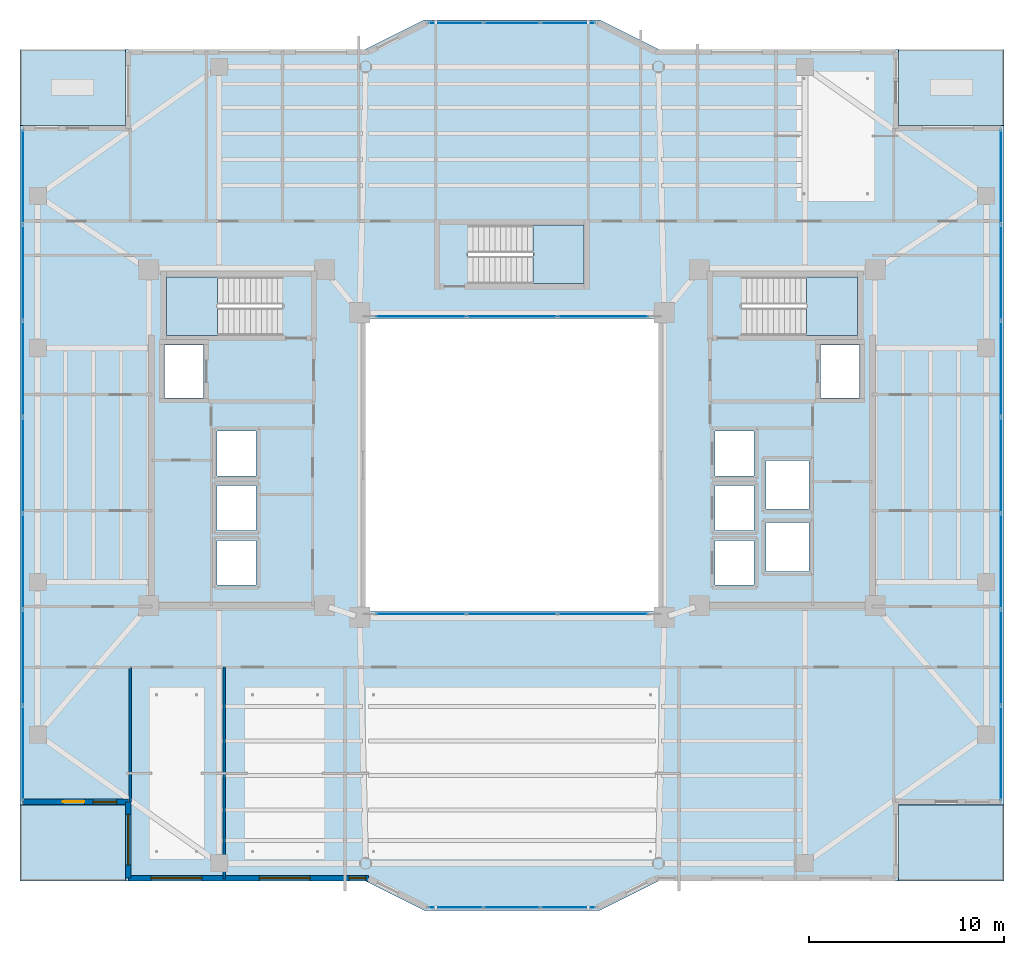
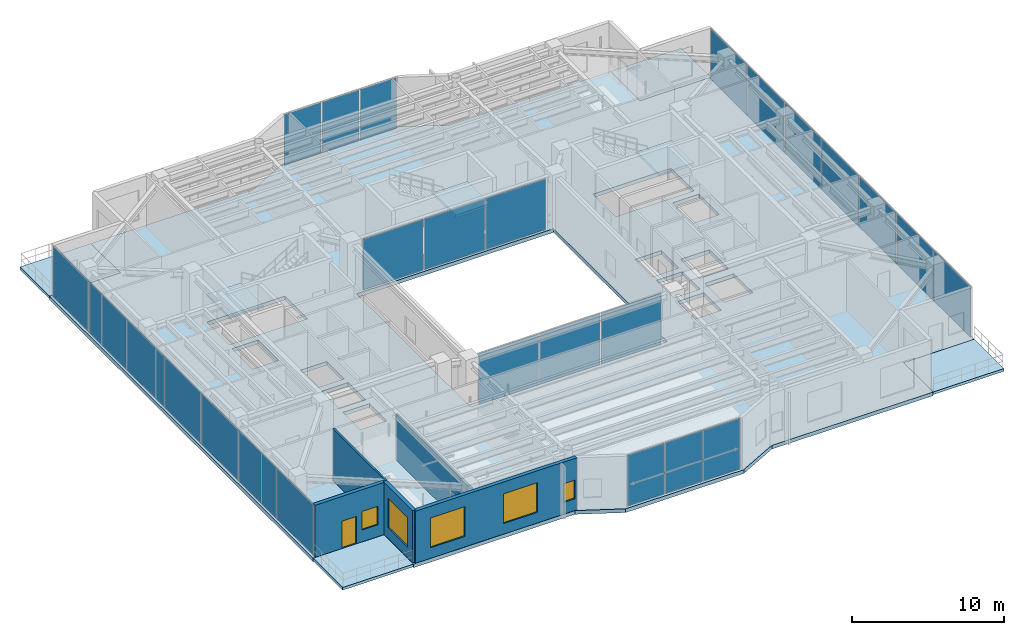
# One storey, part 22 of 33: 26 plates, 8 slabs, 5 walls, 5 windows, 1 door, 6 openings, 9 elements without a shape of their own.
"""IFC4 building model written with IfcOpenShell, lengths in metres."""

import ifcopenshell
import ifcopenshell.guid

model = None  # the IFC model being written
_history = None  # IfcOwnerHistory: only IFC2X3 demands one
_inside = {}  # id of a spatial element -> (the spatial element, [elements in it])
_under = {}  # id of a project, library or spatial element -> (it, [spatial elements below it])
_declared = {}  # id of a project -> (the project, [libraries it declares])
_typed = {}  # id of a type object -> (the type object, [elements of that type])
_made_of = {}  # id of a material, layer set ... -> (it, [elements and type objects made of it])


def new_model(schema):
    """Start an empty IFC model of exactly this schema.

    Asked for "IFC4X3", IfcOpenShell would pick the latest addendum, in which some entities
    have other attributes; the version numbers below select the first issue.
    IFC2X3 requires an IfcOwnerHistory on every rooted entity: one is made here for all.
    """
    global model, _history
    if schema == "IFC4X3":
        model = ifcopenshell.file(schema_version=(4, 3, 0, 0))
    else:
        model = ifcopenshell.file(schema=schema)
    _inside.clear()
    _under.clear()
    _declared.clear()
    _typed.clear()
    _made_of.clear()
    _history = None
    if model.schema == "IFC2X3":
        org = make("IfcOrganization", Name="unknown")
        user = make(
            "IfcPersonAndOrganization",
            ThePerson=make("IfcPerson", FamilyName="unknown"),
            TheOrganization=org,
        )
        app = make(
            "IfcApplication",
            ApplicationDeveloper=org,
            Version="unknown",
            ApplicationFullName="unknown",
            ApplicationIdentifier="unknown",
        )
        _history = make(
            "IfcOwnerHistory",
            OwningUser=user,
            OwningApplication=app,
            ChangeAction="ADDED",
            CreationDate=0,
        )
    return model


def make(cls, **values):
    """One entity of the class cls with the attributes given. An attribute that is None is left unset."""
    return model.create_entity(
        cls, **{name: value for name, value in values.items() if value is not None}
    )


def rooted(cls, **values):
    """An entity with a GlobalId (a new one), such as an element, a storey or a relation."""
    return make(cls, GlobalId=ifcopenshell.guid.new(), OwnerHistory=_history, **values)


def si_unit(unit_type, name, prefix=None):
    """IfcSIUnit, for example si_unit("LENGTHUNIT", "METRE", prefix="MILLI")."""
    return make("IfcSIUnit", UnitType=unit_type, Prefix=prefix, Name=name)


def assignment(units):
    """IfcUnitAssignment: the units of a project."""
    return None if units is None else make("IfcUnitAssignment", Units=units)


def point(xyz):
    """IfcCartesianPoint."""
    return None if xyz is None else make("IfcCartesianPoint", Coordinates=xyz)


def direction(xyz):
    """IfcDirection."""
    return None if xyz is None else make("IfcDirection", DirectionRatios=xyz)


def frame(location, z_axis=None, x_axis=None):
    """IfcAxis2Placement3D, a coordinate frame: its origin and axes. An axis left out is left unset."""
    return make(
        "IfcAxis2Placement3D",
        Location=point(location),
        Axis=direction(z_axis),
        RefDirection=direction(x_axis),
    )


def frame_2d(location, x_axis=None):
    """IfcAxis2Placement2D, a coordinate frame in the plane: its origin and x axis."""
    return make(
        "IfcAxis2Placement2D", Location=point(location), RefDirection=direction(x_axis)
    )


def origin():
    """The frame at (0, 0, 0) with its axes left unset."""
    return frame((0.0, 0.0, 0.0))


def origin_2d():
    """The frame at (0, 0) in the plane with its x axis left unset."""
    return frame_2d((0.0, 0.0))


def place(relative_to, where):
    """IfcLocalPlacement: puts the frame where relative to a parent placement (None: the world)."""
    return make(
        "IfcLocalPlacement", PlacementRelTo=relative_to, RelativePlacement=where
    )


def context(
    kind, dimensions, precision=None, world=None, true_north=None, identifier=None
):
    """IfcGeometricRepresentationContext, for example the 3D "Model" context."""
    return make(
        "IfcGeometricRepresentationContext",
        ContextIdentifier=identifier,
        ContextType=kind,
        CoordinateSpaceDimension=dimensions,
        Precision=precision,
        WorldCoordinateSystem=world,
        TrueNorth=true_north,
    )


def subcontext(parent, identifier, kind, view, scale=None):
    """IfcGeometricRepresentationSubContext, for example "Body" below "Model"."""
    return make(
        "IfcGeometricRepresentationSubContext",
        ContextIdentifier=identifier,
        ContextType=kind,
        ParentContext=parent,
        TargetScale=scale,
        TargetView=view,
    )


def project(units=None, contexts=None):
    """IfcProject with its units and contexts."""
    return rooted(
        "IfcProject",
        Name="project",
        RepresentationContexts=contexts,
        UnitsInContext=assignment(units),
    )


def spatial(cls, under=None, at=None, **own):
    """A site, building, storey or space (cls), placed at a placement, below another one or the project."""
    s = rooted(cls, ObjectPlacement=at, **own)
    if under is not None:
        _under.setdefault(under.id(), (under, []))[1].append(s)
    return s


def polyline(points):
    """IfcPolyline through the points."""
    return make("IfcPolyline", Points=[point(p) for p in points])


def profile(cls, at=None, kind="AREA", **sizes):
    """A parametric profile (cls). Its sizes go by their IFC names, for example OverallWidth=200.0."""
    return make(cls, ProfileType=kind, Position=at, **sizes)


def rectangle(**sizes):
    """IfcRectangleProfileDef."""
    return profile("IfcRectangleProfileDef", **sizes)


def outline(outer, holes=None, kind="AREA"):
    """IfcArbitraryClosedProfileDef: a profile drawn as a closed curve; with holes, ...WithVoids."""
    if holes is None:
        return make("IfcArbitraryClosedProfileDef", ProfileType=kind, OuterCurve=outer)
    return make(
        "IfcArbitraryProfileDefWithVoids",
        ProfileType=kind,
        OuterCurve=outer,
        InnerCurves=holes,
    )


def extrude(swept, where, along, depth):
    """IfcExtrudedAreaSolid: the profile swept, set in the frame where, extruded along a direction by depth."""
    return make(
        "IfcExtrudedAreaSolid",
        SweptArea=swept,
        Position=where,
        ExtrudedDirection=direction(along),
        Depth=depth,
    )


def shape(context_of_items, identifier, shape_type, items):
    """IfcShapeRepresentation: the items that make up one representation, for example the "Body"."""
    return make(
        "IfcShapeRepresentation",
        ContextOfItems=context_of_items,
        RepresentationIdentifier=identifier,
        RepresentationType=shape_type,
        Items=items,
    )


def material(Name=None, Category=None):
    """IfcMaterial."""
    return make("IfcMaterial", Name=Name, Category=Category)


def layer(
    of_material, thickness, ventilated=None, Name=None, Category=None, Priority=None
):
    """IfcMaterialLayer: one layer of a wall or slab, of a material (None: an air gap)."""
    return make(
        "IfcMaterialLayer",
        Material=of_material,
        LayerThickness=thickness,
        IsVentilated=ventilated,
        Name=Name,
        Category=Category,
        Priority=Priority,
    )


def layer_set(layers, Name=None):
    """IfcMaterialLayerSet."""
    return make("IfcMaterialLayerSet", MaterialLayers=layers, LayerSetName=Name)


def made_of(thing, what):
    """Note that an element or type object is made of a material, layer set ...; save() writes the relation."""
    if what is not None:
        _made_of.setdefault(what.id(), (what, []))[1].append(thing)
    return thing


def type_object(cls, material=None, **own):
    """A type object (cls), such as IfcWallType, which elements share."""
    return made_of(rooted(cls, **own), material)


def element(
    cls,
    number,
    at=None,
    inside=None,
    cuts=None,
    type_object=None,
    material=None,
    context=None,
    identifier="Body",
    shape_type=None,
    held_by="IfcProductDefinitionShape",
    body=None,
    shapes=None,
    **own,
):
    """One element of the class cls, such as IfcWall. Its Tag is "e" and its number.

    at: its placement. inside: the storey or other place that contains it. cuts: it is an
    opening in that element (IfcRelVoidsElement). A single representation is given by context,
    identifier, shape_type and body (its items); several are given by shapes. held_by: the class
    of the entity that holds the representations. save() writes the other relations.
    """
    e = rooted(cls, Tag="e%d" % number, ObjectPlacement=at, **own)
    if body is not None:
        shapes = [shape(context, identifier, shape_type, body)]
    if shapes is not None:
        e.Representation = make(held_by, Representations=shapes)
    if inside is not None:
        _inside.setdefault(inside.id(), (inside, []))[1].append(e)
    if cuts is not None:
        rooted(
            "IfcRelVoidsElement", RelatingBuildingElement=cuts, RelatedOpeningElement=e
        )
    if type_object is not None:
        _typed.setdefault(type_object.id(), (type_object, []))[1].append(e)
    return made_of(e, material)


def fill(opening, filler):
    """IfcRelFillsElement: the door or window that sits in an opening."""
    return rooted(
        "IfcRelFillsElement",
        RelatingOpeningElement=opening,
        RelatedBuildingElement=filler,
    )


def aggregate(whole, parts):
    """IfcRelAggregates: a whole, such as a stair, and the parts it consists of."""
    return rooted("IfcRelAggregates", RelatingObject=whole, RelatedObjects=parts)


def save(model, path):
    """Write the relations noted so far, then the file.

    IfcRelAggregates (storeys below a building ...), IfcRelContainedInSpatialStructure (elements
    in a storey), IfcRelDefinesByType, IfcRelAssociatesMaterial and IfcRelDeclares: one each for
    every whole, place, type object, material and project.
    """
    for whole, parts in _under.values():
        aggregate(whole, parts)
    for where, things in _inside.values():
        rooted(
            "IfcRelContainedInSpatialStructure",
            RelatedElements=things,
            RelatingStructure=where,
        )
    for kind, things in _typed.values():
        rooted("IfcRelDefinesByType", RelatedObjects=things, RelatingType=kind)
    for what, things in _made_of.values():
        rooted("IfcRelAssociatesMaterial", RelatedObjects=things, RelatingMaterial=what)
    for by, libraries in _declared.values():
        rooted("IfcRelDeclares", RelatingContext=by, RelatedDefinitions=libraries)
    model.write(path)


model = new_model("IFC4")

# Units and contexts
model_context = context("Model", 3, precision=1e-05, world=origin(), true_north=direction((0.0, 1.0)))
body_context = subcontext(model_context, "Body", "Model", "MODEL_VIEW")
ifc_project = project(units=[si_unit("LENGTHUNIT", "METRE"), si_unit("AREAUNIT", "SQUARE_METRE"), si_unit("VOLUMEUNIT", "CUBIC_METRE"), si_unit("PLANEANGLEUNIT", "RADIAN"), si_unit("MASSUNIT", "GRAM", prefix="KILO")], contexts=[model_context])

# Site, building, storey
site_placement = place(None, origin())
site = spatial("IfcSite", under=ifc_project, at=site_placement, CompositionType="ELEMENT")
building_placement = place(site_placement, origin())
building = spatial("IfcBuilding", under=site, at=building_placement, Name="Tarnavaz Court Tower", CompositionType="ELEMENT")
storey_placement = place(building_placement, frame((0.0, 0.0, 172.800048828125)))
storey = spatial("IfcBuildingStorey", under=building, at=storey_placement, Name="L47", CompositionType="ELEMENT", Elevation=172.800048828125)

# Curtain wall, plates
ifc_material_1 = material(Name="Anodised Aluminium 6063-T6 and Solar Low-E Glazing", Category="aluminium")
ifc_layer_1 = layer(ifc_material_1, 0.139892578125)
ifc_layer_set_1 = layer_set([ifc_layer_1], Name="Anodised Aluminium 6063-T6 and Solar Low-E Glazing")
curtain_wall_type_1 = type_object("IfcCurtainWallType", Name="CW-SYS-04", PredefinedType="NOTDEFINED", material=ifc_layer_set_1)
curtain_wall_1_placement = place(storey_placement, origin())
curtain_wall_1 = element("IfcCurtainWall", 1, at=curtain_wall_1_placement, inside=storey, type_object=curtain_wall_type_1, Name="L47 Badgir Courtyard Curtain Wall S", PredefinedType="NOTDEFINED")
ifc_material_2 = material(Name="Double-Glazed Solar Low-E Glass", Category="glass")
ifc_layer_2 = layer(ifc_material_2, 0.028076171875)
ifc_layer_set_2 = layer_set([ifc_layer_2], Name="Double-Glazed Solar Low-E Glass")
plate_type = type_object("IfcPlateType", Name="CW-PAN-GLZ28", PredefinedType="CURTAIN_PANEL", material=ifc_layer_set_2)
plate_1_placement = place(storey_placement, frame((-4.6611328125, -7.6201171875, 0.06494140625), z_axis=(0.0, 0.0, 1.0), x_axis=(1.0, 0.0, 0.0)))
plate_1 = element("IfcPlate", 2, at=plate_1_placement, type_object=plate_type, Name="CW panel 1.1", PredefinedType="CURTAIN_PANEL", context=body_context, shape_type="SweptSolid", body=[
    extrude(rectangle(XDim=4.5673828125, YDim=0.028076171875, at=origin_2d()), origin(), (0.0, 0.0, 1.0), 4.070068359375),
])
plate_2_placement = place(storey_placement, frame((0.0, -7.6201171875, 0.06494140625), z_axis=(0.0, 0.0, 1.0), x_axis=(1.0, 0.0, 0.0)))
plate_2 = element("IfcPlate", 3, at=plate_2_placement, type_object=plate_type, Name="CW panel 2.1", PredefinedType="CURTAIN_PANEL", context=body_context, shape_type="SweptSolid", body=[
    extrude(rectangle(XDim=4.60498046875, YDim=0.028076171875, at=origin_2d()), origin(), (0.0, 0.0, 1.0), 4.070068359375),
])
plate_3_placement = place(storey_placement, frame((4.6611328125, -7.6201171875, 0.06494140625), z_axis=(0.0, 0.0, 1.0), x_axis=(1.0, 0.0, 0.0)))
plate_3 = element("IfcPlate", 4, at=plate_3_placement, type_object=plate_type, Name="CW panel 3.1", PredefinedType="CURTAIN_PANEL", context=body_context, shape_type="SweptSolid", body=[
    extrude(rectangle(XDim=4.5673828125, YDim=0.028076171875, at=origin_2d()), origin(), (0.0, 0.0, 1.0), 4.070068359375),
])
aggregate(curtain_wall_1, [plate_1, plate_2, plate_3])

curtain_wall_2_placement = place(storey_placement, origin())
curtain_wall_2 = element("IfcCurtainWall", 5, at=curtain_wall_2_placement, inside=storey, type_object=curtain_wall_type_1, Name="L47 Badgir Courtyard Curtain Wall N", PredefinedType="NOTDEFINED")
plate_4_placement = place(storey_placement, frame((4.6611328125, 7.6201171875, 0.06494140625), z_axis=(0.0, 0.0, 1.0), x_axis=(-1.0, 0.0, 0.0)))
plate_4 = element("IfcPlate", 6, at=plate_4_placement, type_object=plate_type, Name="CW panel 1.1", PredefinedType="CURTAIN_PANEL", context=body_context, shape_type="SweptSolid", body=[
    extrude(rectangle(XDim=4.5673828125, YDim=0.028076171875, at=origin_2d()), origin(), (0.0, 0.0, 1.0), 4.070068359375),
])
plate_5_placement = place(storey_placement, frame((0.0, 7.6201171875, 0.06494140625), z_axis=(0.0, 0.0, 1.0), x_axis=(-1.0, 0.0, 0.0)))
plate_5 = element("IfcPlate", 7, at=plate_5_placement, type_object=plate_type, Name="CW panel 2.1", PredefinedType="CURTAIN_PANEL", context=body_context, shape_type="SweptSolid", body=[
    extrude(rectangle(XDim=4.60498046875, YDim=0.028076171875, at=origin_2d()), origin(), (0.0, 0.0, 1.0), 4.070068359375),
])
plate_6_placement = place(storey_placement, frame((-4.6611328125, 7.6201171875, 0.06494140625), z_axis=(0.0, 0.0, 1.0), x_axis=(-1.0, 0.0, 0.0)))
plate_6 = element("IfcPlate", 8, at=plate_6_placement, type_object=plate_type, Name="CW panel 3.1", PredefinedType="CURTAIN_PANEL", context=body_context, shape_type="SweptSolid", body=[
    extrude(rectangle(XDim=4.5673828125, YDim=0.028076171875, at=origin_2d()), origin(), (0.0, 0.0, 1.0), 4.070068359375),
])
aggregate(curtain_wall_2, [plate_4, plate_5, plate_6])

ifc_layer_3 = layer(ifc_material_1, 0.199951171875)
ifc_layer_set_3 = layer_set([ifc_layer_3], Name="Anodised Aluminium 6063-T6 and Solar Low-E Glazing")
curtain_wall_type_2 = type_object("IfcCurtainWallType", Name="CW-SYS-05", PredefinedType="NOTDEFINED", material=ifc_layer_set_3)
curtain_wall_3_placement = place(storey_placement, origin())
curtain_wall_3 = element("IfcCurtainWall", 9, at=curtain_wall_3_placement, inside=storey, type_object=curtain_wall_type_2, Name="L47 Sky-Portal Curtain Wall 2", PredefinedType="NOTDEFINED")
plate_7_placement = place(storey_placement, frame((-25.050048828125, -14.764404296875, 0.06494140625), z_axis=(0.0, 0.0, 1.0), x_axis=(0.0, 1.0, 0.0)))
plate_7 = element("IfcPlate", 10, at=plate_7_placement, type_object=plate_type, Name="CW panel 1.1", PredefinedType="CURTAIN_PANEL", context=body_context, shape_type="SweptSolid", body=[
    extrude(rectangle(XDim=4.801025390625, YDim=0.028076171875, at=origin_2d()), origin(), (0.0, 0.0, 1.0), 4.070068359375),
])
plate_8_placement = place(storey_placement, frame((-25.050048828125, -9.857177734375, 0.06494140625), z_axis=(0.0, 0.0, 1.0), x_axis=(0.0, 1.0, 0.0)))
plate_8 = element("IfcPlate", 11, at=plate_8_placement, type_object=plate_type, Name="CW panel 2.1", PredefinedType="CURTAIN_PANEL", context=body_context, shape_type="SweptSolid", body=[
    extrude(rectangle(XDim=4.843505859375, YDim=0.028076171875, at=origin_2d()), origin(), (0.0, 0.0, 1.0), 4.070068359375),
])
plate_9_placement = place(storey_placement, frame((-25.050048828125, -4.928466796875, 0.06494140625), z_axis=(0.0, 0.0, 1.0), x_axis=(0.0, 1.0, 0.0)))
plate_9 = element("IfcPlate", 12, at=plate_9_placement, type_object=plate_type, Name="CW panel 3.1", PredefinedType="CURTAIN_PANEL", context=body_context, shape_type="SweptSolid", body=[
    extrude(rectangle(XDim=4.843505859375, YDim=0.028076171875, at=origin_2d()), origin(), (0.0, 0.0, 1.0), 4.070068359375),
])
plate_10_placement = place(storey_placement, frame((-25.050048828125, 0.0, 0.06494140625), z_axis=(0.0, 0.0, 1.0), x_axis=(0.0, 1.0, 0.0)))
plate_10 = element("IfcPlate", 13, at=plate_10_placement, type_object=plate_type, Name="CW panel 4.1", PredefinedType="CURTAIN_PANEL", context=body_context, shape_type="SweptSolid", body=[
    extrude(rectangle(XDim=4.843505859375, YDim=0.028076171875, at=origin_2d()), origin(), (0.0, 0.0, 1.0), 4.070068359375),
])
plate_11_placement = place(storey_placement, frame((-25.050048828125, 4.928466796875, 0.06494140625), z_axis=(0.0, 0.0, 1.0), x_axis=(0.0, 1.0, 0.0)))
plate_11 = element("IfcPlate", 14, at=plate_11_placement, type_object=plate_type, Name="CW panel 5.1", PredefinedType="CURTAIN_PANEL", context=body_context, shape_type="SweptSolid", body=[
    extrude(rectangle(XDim=4.843505859375, YDim=0.028076171875, at=origin_2d()), origin(), (0.0, 0.0, 1.0), 4.070068359375),
])
plate_12_placement = place(storey_placement, frame((-25.050048828125, 9.857177734375, 0.06494140625), z_axis=(0.0, 0.0, 1.0), x_axis=(0.0, 1.0, 0.0)))
plate_12 = element("IfcPlate", 15, at=plate_12_placement, type_object=plate_type, Name="CW panel 6.1", PredefinedType="CURTAIN_PANEL", context=body_context, shape_type="SweptSolid", body=[
    extrude(rectangle(XDim=4.843505859375, YDim=0.028076171875, at=origin_2d()), origin(), (0.0, 0.0, 1.0), 4.070068359375),
])
plate_13_placement = place(storey_placement, frame((-25.050048828125, 14.764404296875, 0.06494140625), z_axis=(0.0, 0.0, 1.0), x_axis=(0.0, 1.0, 0.0)))
plate_13 = element("IfcPlate", 16, at=plate_13_placement, type_object=plate_type, Name="CW panel 7.1", PredefinedType="CURTAIN_PANEL", context=body_context, shape_type="SweptSolid", body=[
    extrude(rectangle(XDim=4.801025390625, YDim=0.028076171875, at=origin_2d()), origin(), (0.0, 0.0, 1.0), 4.070068359375),
])
aggregate(curtain_wall_3, [plate_7, plate_8, plate_9, plate_10, plate_11, plate_12, plate_13])

ifc_layer_4 = layer(ifc_material_1, 0.159912109375)
ifc_layer_set_4 = layer_set([ifc_layer_4], Name="Anodised Aluminium 6063-T6 and Solar Low-E Glazing")
curtain_wall_type_3 = type_object("IfcCurtainWallType", Name="CW-SYS-03", PredefinedType="NOTDEFINED", material=ifc_layer_set_4)
curtain_wall_4_placement = place(storey_placement, origin())
curtain_wall_4 = element("IfcCurtainWall", 17, at=curtain_wall_4_placement, inside=storey, type_object=curtain_wall_type_3, Name="L47 Iwan Prow Curtain Wall 7", PredefinedType="NOTDEFINED")
plate_14_placement = place(storey_placement, frame((-2.88134765625, 22.64990234375, 0.06494140625), z_axis=(0.0, 0.0, 1.0), x_axis=(1.0, 0.0, 0.0)))
plate_14 = element("IfcPlate", 18, at=plate_14_placement, type_object=plate_type, Name="CW panel 1.1", PredefinedType="CURTAIN_PANEL", context=body_context, shape_type="SweptSolid", body=[
    extrude(rectangle(XDim=2.78759765625, YDim=0.028076171875, at=origin_2d()), origin(), (0.0, 0.0, 1.0), 4.070068359375),
])
plate_15_placement = place(storey_placement, frame((0.0, 22.64990234375, 0.06494140625), z_axis=(0.0, 0.0, 1.0), x_axis=(1.0, 0.0, 0.0)))
plate_15 = element("IfcPlate", 19, at=plate_15_placement, type_object=plate_type, Name="CW panel 2.1", PredefinedType="CURTAIN_PANEL", context=body_context, shape_type="SweptSolid", body=[
    extrude(rectangle(XDim=2.824951171875, YDim=0.028076171875, at=origin_2d()), origin(), (0.0, 0.0, 1.0), 4.070068359375),
])
plate_16_placement = place(storey_placement, frame((2.88134765625, 22.64990234375, 0.06494140625), z_axis=(0.0, 0.0, 1.0), x_axis=(1.0, 0.0, 0.0)))
plate_16 = element("IfcPlate", 20, at=plate_16_placement, type_object=plate_type, Name="CW panel 3.1", PredefinedType="CURTAIN_PANEL", context=body_context, shape_type="SweptSolid", body=[
    extrude(rectangle(XDim=2.78759765625, YDim=0.028076171875, at=origin_2d()), origin(), (0.0, 0.0, 1.0), 4.070068359375),
])
aggregate(curtain_wall_4, [plate_14, plate_15, plate_16])

curtain_wall_5_placement = place(storey_placement, origin())
curtain_wall_5 = element("IfcCurtainWall", 21, at=curtain_wall_5_placement, inside=storey, type_object=curtain_wall_type_2, Name="L47 Sky-Portal Curtain Wall 12", PredefinedType="NOTDEFINED")
plate_17_placement = place(storey_placement, frame((25.050048828125, 14.764404296875, 0.06494140625), z_axis=(0.0, 0.0, 1.0), x_axis=(0.0, -1.0, 0.0)))
plate_17 = element("IfcPlate", 22, at=plate_17_placement, type_object=plate_type, Name="CW panel 1.1", PredefinedType="CURTAIN_PANEL", context=body_context, shape_type="SweptSolid", body=[
    extrude(rectangle(XDim=4.801025390625, YDim=0.028076171875, at=origin_2d()), origin(), (0.0, 0.0, 1.0), 4.070068359375),
])
plate_18_placement = place(storey_placement, frame((25.050048828125, 9.857177734375, 0.06494140625), z_axis=(0.0, 0.0, 1.0), x_axis=(0.0, -1.0, 0.0)))
plate_18 = element("IfcPlate", 23, at=plate_18_placement, type_object=plate_type, Name="CW panel 2.1", PredefinedType="CURTAIN_PANEL", context=body_context, shape_type="SweptSolid", body=[
    extrude(rectangle(XDim=4.843505859375, YDim=0.028076171875, at=origin_2d()), origin(), (0.0, 0.0, 1.0), 4.070068359375),
])
plate_19_placement = place(storey_placement, frame((25.050048828125, 4.928466796875, 0.06494140625), z_axis=(0.0, 0.0, 1.0), x_axis=(0.0, -1.0, 0.0)))
plate_19 = element("IfcPlate", 24, at=plate_19_placement, type_object=plate_type, Name="CW panel 3.1", PredefinedType="CURTAIN_PANEL", context=body_context, shape_type="SweptSolid", body=[
    extrude(rectangle(XDim=4.843505859375, YDim=0.028076171875, at=origin_2d()), origin(), (0.0, 0.0, 1.0), 4.070068359375),
])
plate_20_placement = place(storey_placement, frame((25.050048828125, 0.0, 0.06494140625), z_axis=(0.0, 0.0, 1.0), x_axis=(0.0, -1.0, 0.0)))
plate_20 = element("IfcPlate", 25, at=plate_20_placement, type_object=plate_type, Name="CW panel 4.1", PredefinedType="CURTAIN_PANEL", context=body_context, shape_type="SweptSolid", body=[
    extrude(rectangle(XDim=4.843505859375, YDim=0.028076171875, at=origin_2d()), origin(), (0.0, 0.0, 1.0), 4.070068359375),
])
plate_21_placement = place(storey_placement, frame((25.050048828125, -4.928466796875, 0.06494140625), z_axis=(0.0, 0.0, 1.0), x_axis=(0.0, -1.0, 0.0)))
plate_21 = element("IfcPlate", 26, at=plate_21_placement, type_object=plate_type, Name="CW panel 5.1", PredefinedType="CURTAIN_PANEL", context=body_context, shape_type="SweptSolid", body=[
    extrude(rectangle(XDim=4.843505859375, YDim=0.028076171875, at=origin_2d()), origin(), (0.0, 0.0, 1.0), 4.070068359375),
])
plate_22_placement = place(storey_placement, frame((25.050048828125, -9.857177734375, 0.06494140625), z_axis=(0.0, 0.0, 1.0), x_axis=(0.0, -1.0, 0.0)))
plate_22 = element("IfcPlate", 27, at=plate_22_placement, type_object=plate_type, Name="CW panel 6.1", PredefinedType="CURTAIN_PANEL", context=body_context, shape_type="SweptSolid", body=[
    extrude(rectangle(XDim=4.843505859375, YDim=0.028076171875, at=origin_2d()), origin(), (0.0, 0.0, 1.0), 4.070068359375),
])
plate_23_placement = place(storey_placement, frame((25.050048828125, -14.764404296875, 0.06494140625), z_axis=(0.0, 0.0, 1.0), x_axis=(0.0, -1.0, 0.0)))
plate_23 = element("IfcPlate", 28, at=plate_23_placement, type_object=plate_type, Name="CW panel 7.1", PredefinedType="CURTAIN_PANEL", context=body_context, shape_type="SweptSolid", body=[
    extrude(rectangle(XDim=4.801025390625, YDim=0.028076171875, at=origin_2d()), origin(), (0.0, 0.0, 1.0), 4.070068359375),
])
aggregate(curtain_wall_5, [plate_17, plate_18, plate_19, plate_20, plate_21, plate_22, plate_23])

curtain_wall_6_placement = place(storey_placement, origin())
curtain_wall_6 = element("IfcCurtainWall", 29, at=curtain_wall_6_placement, inside=storey, type_object=curtain_wall_type_3, Name="L47 Iwan Prow Curtain Wall 17", PredefinedType="NOTDEFINED")
plate_24_placement = place(storey_placement, frame((2.88134765625, -22.64990234375, 0.06494140625), z_axis=(0.0, 0.0, 1.0), x_axis=(-1.0, 0.0, 0.0)))
plate_24 = element("IfcPlate", 30, at=plate_24_placement, type_object=plate_type, Name="CW panel 1.1", PredefinedType="CURTAIN_PANEL", context=body_context, shape_type="SweptSolid", body=[
    extrude(rectangle(XDim=2.78759765625, YDim=0.028076171875, at=origin_2d()), origin(), (0.0, 0.0, 1.0), 4.070068359375),
])
plate_25_placement = place(storey_placement, frame((0.0, -22.64990234375, 0.06494140625), z_axis=(0.0, 0.0, 1.0), x_axis=(-1.0, 0.0, 0.0)))
plate_25 = element("IfcPlate", 31, at=plate_25_placement, type_object=plate_type, Name="CW panel 2.1", PredefinedType="CURTAIN_PANEL", context=body_context, shape_type="SweptSolid", body=[
    extrude(rectangle(XDim=2.824951171875, YDim=0.028076171875, at=origin_2d()), origin(), (0.0, 0.0, 1.0), 4.070068359375),
])
plate_26_placement = place(storey_placement, frame((-2.88134765625, -22.64990234375, 0.06494140625), z_axis=(0.0, 0.0, 1.0), x_axis=(-1.0, 0.0, 0.0)))
plate_26 = element("IfcPlate", 32, at=plate_26_placement, type_object=plate_type, Name="CW panel 3.1", PredefinedType="CURTAIN_PANEL", context=body_context, shape_type="SweptSolid", body=[
    extrude(rectangle(XDim=2.78759765625, YDim=0.028076171875, at=origin_2d()), origin(), (0.0, 0.0, 1.0), 4.070068359375),
])
aggregate(curtain_wall_6, [plate_24, plate_25, plate_26])

# Stair, slab
ifc_material_3 = material(Name="Concrete C40/50", Category="concrete")
stair_type = type_object("IfcStairType", Name="ST-TWR-26R", PredefinedType="HALF_TURN_STAIR", material=ifc_material_3)
stair_1_placement = place(storey_placement, origin())
stair_1 = element("IfcStair", 33, at=stair_1_placement, inside=storey, type_object=stair_type, Name="L47 West Core Pressurized Exit Stair ST-W1", PredefinedType="HALF_TURN_STAIR")
ifc_layer_5 = layer(ifc_material_3, 0.199951171875)
ifc_layer_set_5 = layer_set([ifc_layer_5], Name="Concrete C40/50")
slab_type_1 = type_object("IfcSlabType", Name="SL-LAND-200", PredefinedType="LANDING", material=ifc_layer_set_5)
slab_1_placement = place(storey_placement, frame((0.0, 0.0, 2.050048828125)))
slab_1 = element("IfcSlab", 34, at=slab_1_placement, type_object=slab_type_1, Name="ST-W1 landing 1", PredefinedType="LANDING", context=body_context, shape_type="SweptSolid", body=[
    extrude(outline(polyline([(-15.080078125, 9.639892578125), (-17.699951171875, 9.639892578125), (-17.699951171875, 6.64990234375), (-15.080078125, 6.64990234375), (-15.080078125, 9.639892578125)])), origin(), (0.0, 0.0, 1.0), 0.199951171875),
])
aggregate(stair_1, [slab_1])

stair_2_placement = place(storey_placement, origin())
stair_2 = element("IfcStair", 35, at=stair_2_placement, inside=storey, type_object=stair_type, Name="L47 East Core Pressurized Exit Stair ST-E1", PredefinedType="HALF_TURN_STAIR")
slab_2_placement = place(storey_placement, frame((0.0, 0.0, 2.050048828125)))
slab_2 = element("IfcSlab", 36, at=slab_2_placement, type_object=slab_type_1, Name="ST-E1 landing 1", PredefinedType="LANDING", context=body_context, shape_type="SweptSolid", body=[
    extrude(outline(polyline([(15.080078125, 6.64990234375), (17.699951171875, 6.64990234375), (17.699951171875, 9.639892578125), (15.080078125, 9.639892578125), (15.080078125, 6.64990234375)])), origin(), (0.0, 0.0, 1.0), 0.199951171875),
])
aggregate(stair_2, [slab_2])

stair_3_placement = place(storey_placement, origin())
stair_3 = element("IfcStair", 37, at=stair_3_placement, inside=storey, type_object=stair_type, Name="L47 North Ring Pressurized Exit Stair ST-N1", PredefinedType="HALF_TURN_STAIR")
slab_3_placement = place(storey_placement, frame((0.0, 0.0, 2.050048828125)))
slab_3 = element("IfcSlab", 38, at=slab_3_placement, type_object=slab_type_1, Name="ST-N1 landing 1", PredefinedType="LANDING", context=body_context, shape_type="SweptSolid", body=[
    extrude(outline(polyline([(1.080078125, 9.300048828125), (3.699951171875, 9.300048828125), (3.699951171875, 12.2900390625), (1.080078125, 12.2900390625), (1.080078125, 9.300048828125)])), origin(), (0.0, 0.0, 1.0), 0.199951171875),
])
aggregate(stair_3, [slab_3])

# Slabs
ifc_layer_6 = layer(ifc_material_3, 0.300048828125)
ifc_layer_set_6 = layer_set([ifc_layer_6], Name="Concrete C40/50")
slab_type_2 = type_object("IfcSlabType", Name="SL-POD-300", PredefinedType="FLOOR", material=ifc_layer_set_6)
slab_4_placement = place(storey_placement, frame((0.0, 0.0, -0.300048828125)))
element("IfcSlab", 39, at=slab_4_placement, inside=storey, type_object=slab_type_2, Name="L47 Structural Floor Slab", PredefinedType="FLOOR", context=body_context, shape_type="SweptSolid", body=[
    extrude(outline(polyline([(-19.800048828125, -21.300048828125), (-7.5, -21.300048828125), (-4.5, -22.800048828125), (4.5, -22.800048828125), (7.5, -21.300048828125), (19.800048828125, -21.300048828125), (19.800048828125, -17.39990234375), (25.199951171875, -17.39990234375), (25.199951171875, 17.39990234375), (19.800048828125, 17.39990234375), (19.800048828125, 21.300048828125), (7.5, 21.300048828125), (4.5, 22.800048828125), (-4.5, 22.800048828125), (-7.5, 21.300048828125), (-19.800048828125, 21.300048828125), (-19.800048828125, 17.39990234375), (-25.199951171875, 17.39990234375), (-25.199951171875, -17.39990234375), (-19.800048828125, -17.39990234375), (-19.800048828125, -21.300048828125)]), holes=[polyline([(-7.5, -7.5), (7.5, -7.5), (7.5, 7.5), (-7.5, 7.5), (-7.5, -7.5)]), polyline([(-11.7451171875, 9.639892578125), (-17.699951171875, 9.639892578125), (-17.699951171875, 6.64990234375), (-11.7451171875, 6.64990234375), (-11.7451171875, 9.639892578125)]), polyline([(11.7451171875, 6.64990234375), (17.699951171875, 6.64990234375), (17.699951171875, 9.639892578125), (11.7451171875, 9.639892578125), (11.7451171875, 6.64990234375)]), polyline([(-2.2548828125, 9.300048828125), (3.699951171875, 9.300048828125), (3.699951171875, 12.2900390625), (-2.2548828125, 12.2900390625), (-2.2548828125, 9.300048828125)]), polyline([(-17.800048828125, 3.449951171875), (-15.800048828125, 3.449951171875), (-15.800048828125, 6.14990234375), (-17.800048828125, 6.14990234375), (-17.800048828125, 3.449951171875)]), polyline([(-15.10009765625, -6.14990234375), (-13.10009765625, -6.14990234375), (-13.10009765625, -3.85009765625), (-15.10009765625, -3.85009765625), (-15.10009765625, -6.14990234375)]), polyline([(-15.10009765625, -3.35009765625), (-13.10009765625, -3.35009765625), (-13.10009765625, -1.050048828125), (-15.10009765625, -1.050048828125), (-15.10009765625, -3.35009765625)]), polyline([(-15.10009765625, -0.550048828125), (-13.10009765625, -0.550048828125), (-13.10009765625, 1.75), (-15.10009765625, 1.75), (-15.10009765625, -0.550048828125)]), polyline([(15.800048828125, 3.449951171875), (17.800048828125, 3.449951171875), (17.800048828125, 6.14990234375), (15.800048828125, 6.14990234375), (15.800048828125, 3.449951171875)]), polyline([(10.39990234375, -6.14990234375), (12.39990234375, -6.14990234375), (12.39990234375, -3.85009765625), (10.39990234375, -3.85009765625), (10.39990234375, -6.14990234375)]), polyline([(10.39990234375, -3.35009765625), (12.39990234375, -3.35009765625), (12.39990234375, -1.050048828125), (10.39990234375, -1.050048828125), (10.39990234375, -3.35009765625)]), polyline([(10.39990234375, -0.550048828125), (12.39990234375, -0.550048828125), (12.39990234375, 1.75), (10.39990234375, 1.75), (10.39990234375, -0.550048828125)]), polyline([(13.0, -5.449951171875), (15.199951171875, -5.449951171875), (15.199951171875, -2.949951171875), (13.0, -2.949951171875), (13.0, -5.449951171875)]), polyline([(13.0, -2.25), (15.199951171875, -2.25), (15.199951171875, 0.25), (13.0, 0.25), (13.0, -2.25)])]), origin(), (0.0, 0.0, 1.0), 0.300048828125),
])
ifc_layer_7 = layer(ifc_material_3, 0.219970703125)
ifc_layer_set_7 = layer_set([ifc_layer_7], Name="Concrete C40/50")
slab_type_3 = type_object("IfcSlabType", Name="SL-TERR-220", PredefinedType="FLOOR", material=ifc_layer_set_7)
slab_5_placement = place(storey_placement, frame((0.0, 0.0, -0.219970703125)))
element("IfcSlab", 40, at=slab_5_placement, inside=storey, type_object=slab_type_3, Name="L47 NE Planted Sky Terrace", PredefinedType="FLOOR", context=body_context, shape_type="SweptSolid", body=[
    extrude(outline(polyline([(19.800048828125, 17.39990234375), (25.199951171875, 17.39990234375), (25.199951171875, 21.300048828125), (19.800048828125, 21.300048828125), (19.800048828125, 17.39990234375)])), origin(), (0.0, 0.0, 1.0), 0.219970703125),
])
slab_6_placement = place(storey_placement, frame((0.0, 0.0, -0.219970703125)))
element("IfcSlab", 41, at=slab_6_placement, inside=storey, type_object=slab_type_3, Name="L47 NW Planted Sky Terrace", PredefinedType="FLOOR", context=body_context, shape_type="SweptSolid", body=[
    extrude(outline(polyline([(-25.199951171875, 17.39990234375), (-19.800048828125, 17.39990234375), (-19.800048828125, 21.300048828125), (-25.199951171875, 21.300048828125), (-25.199951171875, 17.39990234375)])), origin(), (0.0, 0.0, 1.0), 0.219970703125),
])
slab_7_placement = place(storey_placement, frame((0.0, 0.0, -0.219970703125)))
element("IfcSlab", 42, at=slab_7_placement, inside=storey, type_object=slab_type_3, Name="L47 SE Planted Sky Terrace", PredefinedType="FLOOR", context=body_context, shape_type="SweptSolid", body=[
    extrude(outline(polyline([(19.800048828125, -21.300048828125), (25.199951171875, -21.300048828125), (25.199951171875, -17.39990234375), (19.800048828125, -17.39990234375), (19.800048828125, -21.300048828125)])), origin(), (0.0, 0.0, 1.0), 0.219970703125),
])
slab_8_placement = place(storey_placement, frame((0.0, 0.0, -0.219970703125)))
element("IfcSlab", 43, at=slab_8_placement, inside=storey, type_object=slab_type_3, Name="L47 SW Planted Sky Terrace", PredefinedType="FLOOR", context=body_context, shape_type="SweptSolid", body=[
    extrude(outline(polyline([(-25.199951171875, -21.300048828125), (-19.800048828125, -21.300048828125), (-19.800048828125, -17.39990234375), (-25.199951171875, -17.39990234375), (-25.199951171875, -21.300048828125)])), origin(), (0.0, 0.0, 1.0), 0.219970703125),
])

# Wall, openings, door, window
ifc_material_4 = material(Name="Precast Concrete C40/50", Category="concrete")
ifc_layer_8 = layer(ifc_material_4, 0.280029296875)
ifc_layer_set_8 = layer_set([ifc_layer_8], Name="Precast Concrete C40/50")
wall_type_1 = type_object("IfcWallType", Name="WL-EXT-280", PredefinedType="SOLIDWALL", material=ifc_layer_set_8)
wall_1_placement = place(storey_placement, frame((-19.64990234375, -17.25, 0.0), z_axis=(0.0, 0.0, 1.0), x_axis=(-1.0, 0.0, 0.0)))
wall_1 = element("IfcWall", 44, at=wall_1_placement, inside=storey, type_object=wall_type_1, Name="L47 Exterior Terracotta Facade Wall 01", PredefinedType="SOLIDWALL", context=body_context, shape_type="SweptSolid", body=[
    extrude(rectangle(XDim=5.400146484375, YDim=0.280029296875, at=frame_2d((2.7001953125, 0.0))), origin(), (0.0, 0.0, 1.0), 4.199951171875),
])
opening_1_placement = place(wall_1_placement, frame((2.25, 0.0, 0.0)))
opening_1 = element("IfcOpeningElement", 45, at=opening_1_placement, cuts=wall_1, Name="Opening TD1", PredefinedType="OPENING", context=body_context, shape_type="SweptSolid", body=[
    extrude(rectangle(XDim=1.10009765625, YDim=2.199951171875, at=frame_2d((0.550048828125, 1.10009765625))), frame((0.0, 0.14990234375, 0.0), z_axis=(0.0, -1.0, 0.0), x_axis=(1.0, 0.0, 0.0)), (0.0, 0.0, 1.0), 0.300048828125),
])
opening_2_placement = place(wall_1_placement, frame((0.60498046875, 0.0, 0.949951171875)))
opening_2 = element("IfcOpeningElement", 46, at=opening_2_placement, cuts=wall_1, Name="Opening W05", PredefinedType="OPENING", context=body_context, shape_type="SweptSolid", body=[
    extrude(rectangle(XDim=1.199951171875, YDim=1.5, at=frame_2d((0.60009765625, 0.75))), frame((0.0, 0.14990234375, 0.0), z_axis=(0.0, -1.0, 0.0), x_axis=(1.0, 0.0, 0.0)), (0.0, 0.0, 1.0), 0.300048828125),
])
ifc_material_5 = material(Name="Thermally Broken Aluminium and Laminated Glass", Category="aluminium")
door_type = type_object("IfcDoorType", Name="DR-TERR-1100", OperationType="NOTDEFINED", PredefinedType="DOOR", material=ifc_material_5)
door_placement = place(opening_1_placement, origin())
door = element("IfcDoor", 47, at=door_placement, inside=storey, type_object=door_type, Name="L47 Sky Terrace Access Door 4", OperationType="SINGLE_SWING_RIGHT", OverallHeight=2.199951171875, OverallWidth=1.10009765625, PredefinedType="DOOR", context=body_context, shape_type="SweptSolid", body=[
    extrude(rectangle(XDim=1.10009765625, YDim=2.199951171875, at=frame_2d((0.550048828125, 1.10009765625))), frame((0.0, 0.02490234375, 0.0), z_axis=(0.0, -1.0, 0.0), x_axis=(1.0, 0.0, 0.0)), (0.0, 0.0, 1.0), 0.050048828125),
])
fill(opening_1, door)
window_type_1 = type_object("IfcWindowType", Name="WN-APT-1200", PartitioningType="SINGLE_PANEL", PredefinedType="WINDOW", material=ifc_material_2)
window_1_placement = place(opening_2_placement, origin())
window_1 = element("IfcWindow", 48, at=window_1_placement, inside=storey, type_object=window_type_1, Name="L47 L47 SW Terrace Salon Window", OverallHeight=1.5, OverallWidth=1.199951171875, PartitioningType="SINGLE_PANEL", PredefinedType="WINDOW", context=body_context, shape_type="SweptSolid", body=[
    extrude(rectangle(XDim=1.199951171875, YDim=1.5, at=frame_2d((0.60009765625, 0.75))), frame((0.0, 0.030029296875, 0.0), z_axis=(0.0, -1.0, 0.0), x_axis=(1.0, 0.0, 0.0)), (0.0, 0.0, 1.0), 0.06005859375),
])
fill(opening_2, window_1)

# Wall, openings, windows
wall_2_placement = place(storey_placement, frame((-7.35009765625, -21.14990234375, 0.0), z_axis=(0.0, 0.0, 1.0), x_axis=(-1.0, 0.0, 0.0)))
wall_2 = element("IfcWall", 49, at=wall_2_placement, inside=storey, type_object=wall_type_1, Name="L47 Exterior Terracotta Facade Wall 19", PredefinedType="SOLIDWALL", context=body_context, shape_type="SweptSolid", body=[
    extrude(rectangle(XDim=12.2998046875, YDim=0.280029296875, at=frame_2d((6.14990234375, 0.0))), origin(), (0.0, 0.0, 1.0), 4.199951171875),
])
opening_3_placement = place(wall_2_placement, frame((0.147216796875, 0.0, 0.949951171875)))
opening_3 = element("IfcOpeningElement", 50, at=opening_3_placement, cuts=wall_2, Name="Opening W15", PredefinedType="OPENING", context=body_context, shape_type="SweptSolid", body=[
    extrude(rectangle(XDim=0.85009765625, YDim=1.5, at=frame_2d((0.425048828125, 0.75))), frame((0.0, 0.14990234375, 0.0), z_axis=(0.0, -1.0, 0.0), x_axis=(1.0, 0.0, 0.0)), (0.0, 0.0, 1.0), 0.300048828125),
])
opening_4_placement = place(wall_2_placement, frame((2.992431640625, 0.0, 0.85009765625)))
opening_4 = element("IfcOpeningElement", 51, at=opening_4_placement, cuts=wall_2, Name="Opening W11", PredefinedType="OPENING", context=body_context, shape_type="SweptSolid", body=[
    extrude(rectangle(XDim=2.60009765625, YDim=2.39990234375, at=frame_2d((1.300048828125, 1.199951171875))), frame((0.0, 0.14990234375, 0.0), z_axis=(0.0, -1.0, 0.0), x_axis=(1.0, 0.0, 0.0)), (0.0, 0.0, 1.0), 0.300048828125),
])
opening_5_placement = place(wall_2_placement, frame((8.5400390625, 0.0, 0.85009765625)))
opening_5 = element("IfcOpeningElement", 52, at=opening_5_placement, cuts=wall_2, Name="Opening W11", PredefinedType="OPENING", context=body_context, shape_type="SweptSolid", body=[
    extrude(rectangle(XDim=2.60009765625, YDim=2.39990234375, at=frame_2d((1.300048828125, 1.199951171875))), frame((0.0, 0.14990234375, 0.0), z_axis=(0.0, -1.0, 0.0), x_axis=(1.0, 0.0, 0.0)), (0.0, 0.0, 1.0), 0.300048828125),
])
window_type_2 = type_object("IfcWindowType", Name="WN-APT-850", PartitioningType="SINGLE_PANEL", PredefinedType="WINDOW", material=ifc_material_2)
window_2_placement = place(opening_3_placement, origin())
window_2 = element("IfcWindow", 53, at=window_2_placement, inside=storey, type_object=window_type_2, Name="L47 L47 Central Iwan Cultural Exhibition Hall Window", OverallHeight=1.5, OverallWidth=0.85009765625, PartitioningType="SINGLE_PANEL", PredefinedType="WINDOW", context=body_context, shape_type="SweptSolid", body=[
    extrude(rectangle(XDim=0.85009765625, YDim=1.5, at=frame_2d((0.425048828125, 0.75))), frame((0.0, 0.030029296875, 0.0), z_axis=(0.0, -1.0, 0.0), x_axis=(1.0, 0.0, 0.0)), (0.0, 0.0, 1.0), 0.06005859375),
])
fill(opening_3, window_2)
window_type_3 = type_object("IfcWindowType", Name="WN-COM-2600", PartitioningType="TRIPLE_PANEL_VERTICAL", PredefinedType="WINDOW", material=ifc_material_2)
window_3_placement = place(opening_4_placement, origin())
window_3 = element("IfcWindow", 54, at=window_3_placement, inside=storey, type_object=window_type_3, Name="L47 L47 South-West Study Room Window", OverallHeight=2.39990234375, OverallWidth=2.60009765625, PartitioningType="SINGLE_PANEL", PredefinedType="WINDOW", context=body_context, shape_type="SweptSolid", body=[
    extrude(rectangle(XDim=2.60009765625, YDim=2.39990234375, at=frame_2d((1.300048828125, 1.199951171875))), frame((0.0, 0.030029296875, 0.0), z_axis=(0.0, -1.0, 0.0), x_axis=(1.0, 0.0, 0.0)), (0.0, 0.0, 1.0), 0.06005859375),
])
fill(opening_4, window_3)
window_4_placement = place(opening_5_placement, origin())
window_4 = element("IfcWindow", 55, at=window_4_placement, inside=storey, type_object=window_type_3, Name="L47 L47 Daycare Classroom Window", OverallHeight=2.39990234375, OverallWidth=2.60009765625, PartitioningType="SINGLE_PANEL", PredefinedType="WINDOW", context=body_context, shape_type="SweptSolid", body=[
    extrude(rectangle(XDim=2.60009765625, YDim=2.39990234375, at=frame_2d((1.300048828125, 1.199951171875))), frame((0.0, 0.030029296875, 0.0), z_axis=(0.0, -1.0, 0.0), x_axis=(1.0, 0.0, 0.0)), (0.0, 0.0, 1.0), 0.06005859375),
])
fill(opening_5, window_4)

# Wall, opening, window
wall_3_placement = place(storey_placement, frame((-19.64990234375, -21.14990234375, 0.0), z_axis=(0.0, 0.0, 1.0), x_axis=(0.0, 1.0, 0.0)))
wall_3 = element("IfcWall", 56, at=wall_3_placement, inside=storey, type_object=wall_type_1, Name="L47 Exterior Terracotta Facade Wall 20", PredefinedType="SOLIDWALL", context=body_context, shape_type="SweptSolid", body=[
    extrude(rectangle(XDim=3.89990234375, YDim=0.280029296875, at=frame_2d((1.949951171875, 0.0))), origin(), (0.0, 0.0, 1.0), 4.199951171875),
])
opening_6_placement = place(wall_3_placement, frame((0.667724609375, 0.0, 0.85009765625)))
opening_6 = element("IfcOpeningElement", 57, at=opening_6_placement, cuts=wall_3, Name="Opening W11", PredefinedType="OPENING", context=body_context, shape_type="SweptSolid", body=[
    extrude(rectangle(XDim=2.60009765625, YDim=2.39990234375, at=frame_2d((1.300048828125, 1.199951171875))), frame((0.0, 0.14990234375, 0.0), z_axis=(0.0, -1.0, 0.0), x_axis=(1.0, 0.0, 0.0)), (0.0, 0.0, 1.0), 0.300048828125),
])
window_5_placement = place(opening_6_placement, origin())
window_5 = element("IfcWindow", 58, at=window_5_placement, inside=storey, type_object=window_type_3, Name="L47 L47 Daycare Classroom Window", OverallHeight=2.39990234375, OverallWidth=2.60009765625, PartitioningType="SINGLE_PANEL", PredefinedType="WINDOW", context=body_context, shape_type="SweptSolid", body=[
    extrude(rectangle(XDim=2.60009765625, YDim=2.39990234375, at=frame_2d((1.300048828125, 1.199951171875))), frame((0.0, 0.030029296875, 0.0), z_axis=(0.0, -1.0, 0.0), x_axis=(1.0, 0.0, 0.0)), (0.0, 0.0, 1.0), 0.06005859375),
])
fill(opening_6, window_5)

# Walls
ifc_material_6 = material(Name="Gypsum Plasterboard Acoustic Partition", Category="masonry")
ifc_layer_9 = layer(ifc_material_6, 0.139892578125)
ifc_layer_set_9 = layer_set([ifc_layer_9], Name="Gypsum Plasterboard Acoustic Partition")
wall_type_2 = type_object("IfcWallType", Name="WL-PART-150", PredefinedType="PARTITIONING", material=ifc_layer_set_9)
wall_4_placement = place(storey_placement, frame((-14.73193359375, -21.199951171875, 0.0), z_axis=(0.0, 0.0, 1.0), x_axis=(0.0, 1.0, 0.0)))
element("IfcWall", 59, at=wall_4_placement, inside=storey, type_object=wall_type_2, Name="L47 Interior Partition 083", PredefinedType="PARTITIONING", context=body_context, shape_type="SweptSolid", body=[
    extrude(rectangle(XDim=10.849853515625, YDim=0.139892578125, at=frame_2d((5.4248046875, 0.0))), origin(), (0.0, 0.0, 1.0), 3.68505859375),
])
wall_5_placement = place(storey_placement, frame((-19.550048828125, -17.25, 0.0), z_axis=(0.0, 0.0, 1.0), x_axis=(0.0, 1.0, 0.0)))
element("IfcWall", 60, at=wall_5_placement, inside=storey, type_object=wall_type_2, Name="L47 Interior Partition 092", PredefinedType="PARTITIONING", context=body_context, shape_type="SweptSolid", body=[
    extrude(rectangle(XDim=6.89990234375, YDim=0.139892578125, at=frame_2d((3.449951171875, 0.0))), origin(), (0.0, 0.0, 1.0), 4.199951171875),
])

save(model, "model.ifc")
